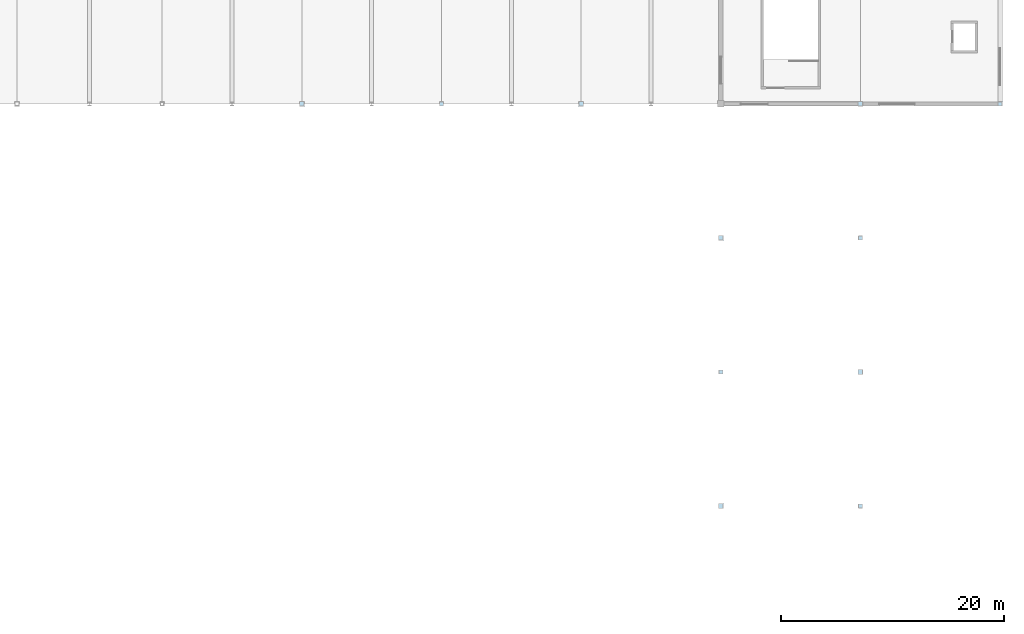
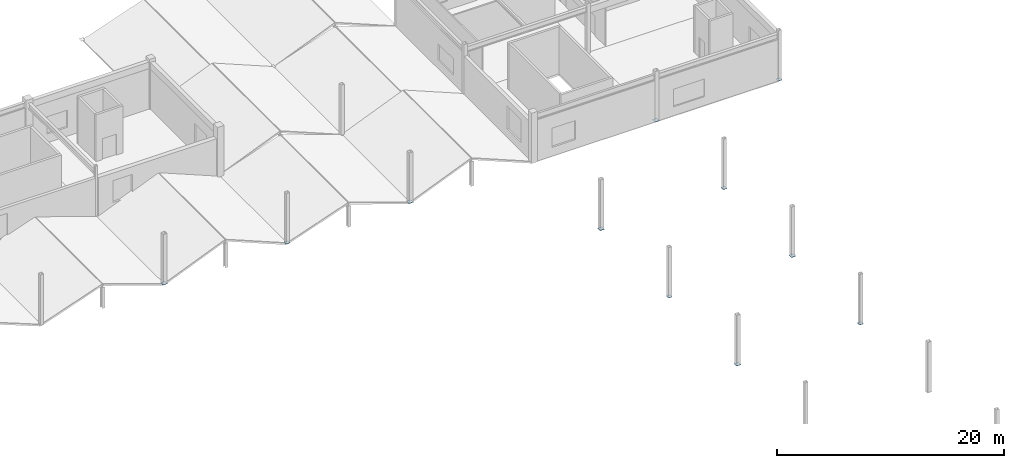
# One storey, part 58 of 76: 11 plates.
"""IFC4 building model written with IfcOpenShell, lengths in metres."""

from ifc_helpers import new_model, si_unit, direction, frame, origin, origin_2d, place, context, subcontext, project, spatial, rectangle, extrude, material, layer, layer_set, type_object, element, save


model = new_model("IFC4")

# Units and contexts
model_context = context("Model", 3, precision=1e-05, world=origin(), true_north=direction((0.0, 1.0)))
body_context = subcontext(model_context, "Body", "Model", "MODEL_VIEW")
ifc_project = project(units=[si_unit("LENGTHUNIT", "METRE"), si_unit("AREAUNIT", "SQUARE_METRE"), si_unit("VOLUMEUNIT", "CUBIC_METRE"), si_unit("PLANEANGLEUNIT", "RADIAN"), si_unit("MASSUNIT", "GRAM", prefix="KILO")], contexts=[model_context])

# Site, building, storey
site_placement = place(None, origin())
site = spatial("IfcSite", under=ifc_project, at=site_placement, CompositionType="ELEMENT")
building_placement = place(site_placement, origin())
building = spatial("IfcBuilding", under=site, at=building_placement, Name="Kazenohara Klinker Stadium", CompositionType="ELEMENT")
storey_placement = place(building_placement, frame((0.0, 0.0, 25.800048828125)))
storey = spatial("IfcBuildingStorey", under=building, at=storey_placement, Name="L05", CompositionType="ELEMENT", Elevation=25.800048828125)

# Plates
ifc_material = material(Name="Steel S355", Category="steel")
ifc_layer_1 = layer(ifc_material, 0.02001953125)
ifc_layer_set_1 = layer_set([ifc_layer_1], Name="Steel S355")
plate_type_1 = type_object("IfcPlateType", Name="PLT-GP01", PredefinedType="USERDEFINED", material=ifc_layer_set_1)
plate_1_placement = place(storey_placement, frame((137.5, 132.0, -0.010009765625), z_axis=(0.0, 0.0, 1.0), x_axis=(1.0, 0.0, 0.0)))
element("IfcPlate", 1, at=plate_1_placement, inside=storey, type_object=plate_type_1, Name="Hollow column end-cap plate GP01 L05 12/M", ObjectType="GUSSET PLATE", PredefinedType="USERDEFINED", context=body_context, shape_type="SweptSolid", body=[
    extrude(rectangle(XDim=0.43994140625, YDim=0.43994140625, at=origin_2d()), origin(), (0.0, 0.0, 1.0), 0.02001953125),
])
plate_2_placement = place(storey_placement, frame((150.0, 132.0, -0.010009765625), z_axis=(0.0, 0.0, 1.0), x_axis=(1.0, 0.0, 0.0)))
element("IfcPlate", 2, at=plate_2_placement, inside=storey, type_object=plate_type_1, Name="Hollow column end-cap plate GP01 L05 13/M", ObjectType="GUSSET PLATE", PredefinedType="USERDEFINED", context=body_context, shape_type="SweptSolid", body=[
    extrude(rectangle(XDim=0.389892578125, YDim=0.389892578125, at=origin_2d()), origin(), (0.0, 0.0, 1.0), 0.02001953125),
])
for number, where, z_axis, x_axis, name in (
    (3, (162.5, 132.0, -0.010009765625), (0.0, 0.0, 1.0), (1.0, 0.0, 0.0), "Hollow column end-cap plate GP01 L05 14/M"),
    (4, (175.0, 96.0, -0.010009765625), (0.0, 0.0, 1.0), (1.0, 0.0, 0.0), "Hollow column end-cap plate GP01 L05 15/J"),
):
    element("IfcPlate", number, at=place(storey_placement, frame(where, z_axis=z_axis, x_axis=x_axis)), inside=storey, type_object=plate_type_1, Name=name, ObjectType="GUSSET PLATE", PredefinedType="USERDEFINED", context=body_context, shape_type="SweptSolid", body=[
        extrude(rectangle(XDim=0.43994140625, YDim=0.43994140625, at=origin_2d()), origin(), (0.0, 0.0, 1.0), 0.02001953125),
    ])
plate_3_placement = place(storey_placement, frame((175.0, 108.0, -0.010009765625), z_axis=(0.0, 0.0, 1.0), x_axis=(1.0, 0.0, 0.0)))
element("IfcPlate", 5, at=plate_3_placement, inside=storey, type_object=plate_type_1, Name="Hollow column end-cap plate GP01 L05 15/K", ObjectType="GUSSET PLATE", PredefinedType="USERDEFINED", context=body_context, shape_type="SweptSolid", body=[
    extrude(rectangle(XDim=0.389892578125, YDim=0.389892578125, at=origin_2d()), origin(), (0.0, 0.0, 1.0), 0.02001953125),
])
ifc_layer_2 = layer(ifc_material, 0.02197265625)
ifc_layer_set_2 = layer_set([ifc_layer_2], Name="Steel S355")
plate_type_2 = type_object("IfcPlateType", Name="PLT-GP02", PredefinedType="USERDEFINED", material=ifc_layer_set_2)
plate_4_placement = place(storey_placement, frame((187.5, 120.0, -0.010986328125), z_axis=(0.0, 0.0, 1.0), x_axis=(1.0, 0.0, 0.0)))
element("IfcPlate", 6, at=plate_4_placement, inside=storey, type_object=plate_type_2, Name="Hollow column end-cap plate GP02 L05 16/L", ObjectType="GUSSET PLATE", PredefinedType="USERDEFINED", context=body_context, shape_type="SweptSolid", body=[
    extrude(rectangle(XDim=0.389892578125, YDim=0.389892578125, at=origin_2d()), origin(), (0.0, 0.0, 1.0), 0.02197265625),
])
plate_5_placement = place(storey_placement, frame((187.5, 132.0, -0.010986328125), z_axis=(0.0, 0.0, 1.0), x_axis=(1.0, 0.0, 0.0)))
element("IfcPlate", 7, at=plate_5_placement, inside=storey, type_object=plate_type_2, Name="Hollow column end-cap plate GP02 L05 16/M", ObjectType="GUSSET PLATE", PredefinedType="USERDEFINED", context=body_context, shape_type="SweptSolid", body=[
    extrude(rectangle(XDim=0.43994140625, YDim=0.43994140625, at=origin_2d()), origin(), (0.0, 0.0, 1.0), 0.02197265625),
])
plate_6_placement = place(storey_placement, frame((200.0, 132.0, -0.010986328125), z_axis=(0.0, 0.0, 1.0), x_axis=(1.0, 0.0, 0.0)))
element("IfcPlate", 8, at=plate_6_placement, inside=storey, type_object=plate_type_2, Name="Hollow column end-cap plate GP02 L05 17/M", ObjectType="GUSSET PLATE", PredefinedType="USERDEFINED", context=body_context, shape_type="SweptSolid", body=[
    extrude(rectangle(XDim=0.389892578125, YDim=0.389892578125, at=origin_2d()), origin(), (0.0, 0.0, 1.0), 0.02197265625),
])
ifc_layer_3 = layer(ifc_material, 0.02392578125)
ifc_layer_set_3 = layer_set([ifc_layer_3], Name="Steel S355")
plate_type_3 = type_object("IfcPlateType", Name="PLT-GP03", PredefinedType="USERDEFINED", material=ifc_layer_set_3)
plate_7_placement = place(storey_placement, frame((187.5, 108.0, -0.011962890625), z_axis=(0.0, 0.0, 1.0), x_axis=(1.0, 0.0, 0.0)))
element("IfcPlate", 9, at=plate_7_placement, inside=storey, type_object=plate_type_3, Name="Hollow column end-cap plate GP03 L05 16/K", ObjectType="GUSSET PLATE", PredefinedType="USERDEFINED", context=body_context, shape_type="SweptSolid", body=[
    extrude(rectangle(XDim=0.43994140625, YDim=0.43994140625, at=origin_2d()), origin(), (0.0, 0.0, 1.0), 0.02392578125),
])
ifc_layer_4 = layer(ifc_material, 0.02490234375)
ifc_layer_set_4 = layer_set([ifc_layer_4], Name="Steel S355")
plate_type_4 = type_object("IfcPlateType", Name="PLT-GP04", PredefinedType="USERDEFINED", material=ifc_layer_set_4)
plate_8_placement = place(storey_placement, frame((175.0, 120.0, -0.012451171875), z_axis=(0.0, 0.0, 1.0), x_axis=(1.0, 0.0, 0.0)))
element("IfcPlate", 10, at=plate_8_placement, inside=storey, type_object=plate_type_4, Name="Hollow column end-cap plate GP04 L05 15/L", ObjectType="GUSSET PLATE", PredefinedType="USERDEFINED", context=body_context, shape_type="SweptSolid", body=[
    extrude(rectangle(XDim=0.43994140625, YDim=0.43994140625, at=origin_2d()), origin(), (0.0, 0.0, 1.0), 0.02490234375),
])
plate_9_placement = place(storey_placement, frame((187.5, 96.0, -0.012451171875), z_axis=(0.0, 0.0, 1.0), x_axis=(1.0, 0.0, 0.0)))
element("IfcPlate", 11, at=plate_9_placement, inside=storey, type_object=plate_type_4, Name="Hollow column end-cap plate GP04 L05 16/J", ObjectType="GUSSET PLATE", PredefinedType="USERDEFINED", context=body_context, shape_type="SweptSolid", body=[
    extrude(rectangle(XDim=0.389892578125, YDim=0.389892578125, at=origin_2d()), origin(), (0.0, 0.0, 1.0), 0.02490234375),
])

save(model, "model.ifc")
